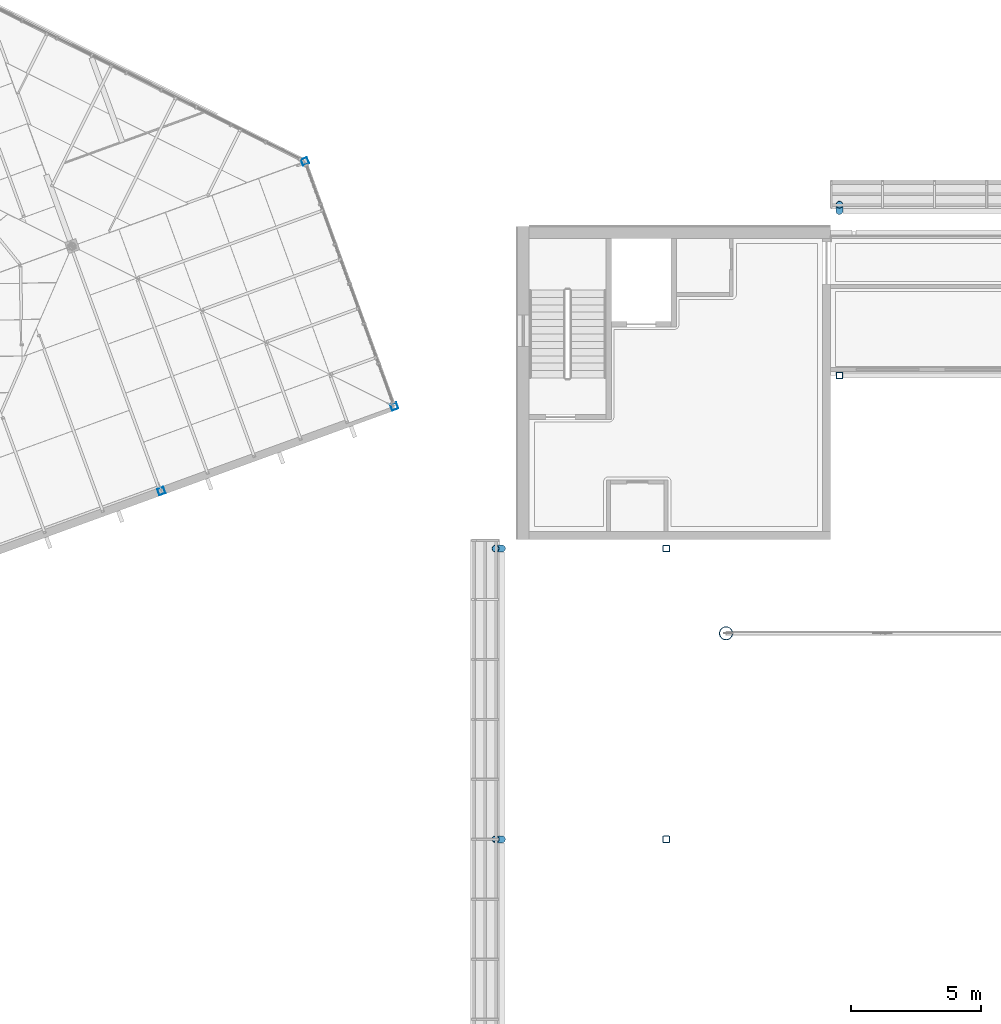
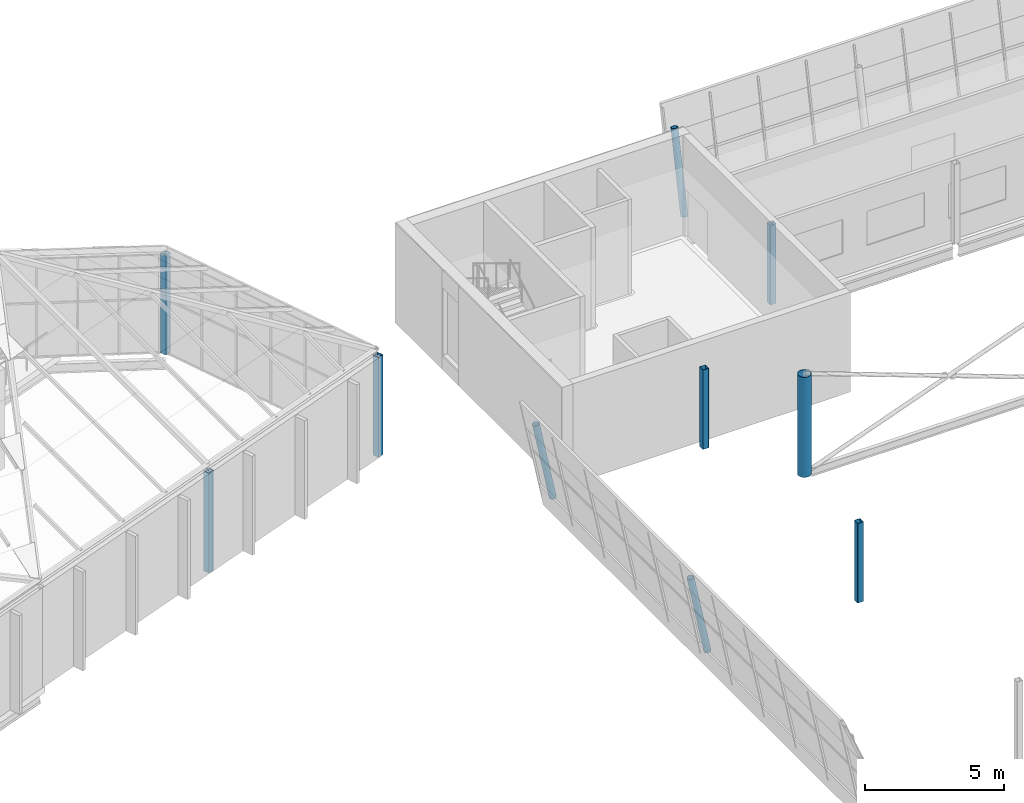
# One storey, part 7 of 95: 10 columns.
"""IFC4 building model written with IfcOpenShell, lengths in metres."""

from ifc_helpers import new_model, si_unit, direction, frame, origin, origin_2d, place, context, subcontext, project, spatial, hollow_rectangle, hollow_circle, extrude, material, material_profile, profile_set, type_object, element, save


model = new_model("IFC4")

# Units and contexts
model_context = context("Model", 3, precision=1e-05, world=origin(), true_north=direction((0.0, 1.0)))
body_context = subcontext(model_context, "Body", "Model", "MODEL_VIEW")
ifc_project = project(units=[si_unit("LENGTHUNIT", "METRE"), si_unit("AREAUNIT", "SQUARE_METRE"), si_unit("VOLUMEUNIT", "CUBIC_METRE"), si_unit("PLANEANGLEUNIT", "RADIAN"), si_unit("MASSUNIT", "GRAM", prefix="KILO")], contexts=[model_context])

# Site, building, storey
site_placement = place(None, origin())
site = spatial("IfcSite", under=ifc_project, at=site_placement, CompositionType="ELEMENT")
building_placement = place(site_placement, origin())
building = spatial("IfcBuilding", under=site, at=building_placement, Name="Windward Yard Aquatics Centre", CompositionType="ELEMENT")
storey_placement = place(building_placement, frame((0.0, 0.0, 9.39990234375)))
storey = spatial("IfcBuildingStorey", under=building, at=storey_placement, Name="L02", CompositionType="ELEMENT", Elevation=9.39990234375)

# Columns
ifc_material_1 = material(Name="Steel S355", Category="steel")
ifc_material_profile_1 = material_profile(ifc_material_1, hollow_rectangle(XDim=0.25390625, YDim=0.25390625, WallThickness=0.01171875, at=origin_2d()), Name="HSS254x254x12.7")
ifc_profile_set_1 = profile_set([ifc_material_profile_1], Name="Steel S355")
column_type_1 = type_object("IfcColumnType", Name="F HSS254x254x12.7 column", PredefinedType="COLUMN", material=ifc_profile_set_1)
for number, where, z_axis, x_axis, name in (
    (1, (38.347412109375, 85.852294921875, 0.0), (0.0, 0.0, 1.0), (0.939692620786, 0.342020143326, 0.0), "F.COL.L02.04"),
    (2, (47.2744140625, 89.1015625, 0.0), (0.0, 0.0, 1.0), (0.939692620786, 0.342020143326, 0.0), "F.COL.L02.05"),
    (3, (43.854248046875, 98.498291015625, 0.0), (0.0, 0.0, 1.0), (0.939692620786, 0.342020143326, 0.0), "F.COL.L02.06"),
):
    element("IfcColumn", number, at=place(storey_placement, frame(where, z_axis=z_axis, x_axis=x_axis)), inside=storey, type_object=column_type_1, Name=name, PredefinedType="COLUMN", context=body_context, shape_type="SweptSolid", body=[
        extrude(hollow_rectangle(XDim=0.25390625, YDim=0.25390625, WallThickness=0.01171875, at=origin_2d()), origin(), (0.0, 0.0, 1.0), 4.400146484375),
    ])
ifc_material_2 = material(Name="Steel ASTM A500 Gr C", Category="steel")
ifc_material_profile_2 = material_profile(ifc_material_2, hollow_circle(Radius=0.25390625, WallThickness=0.015869140625, at=origin_2d()), Name="HSS508X15.9")
ifc_profile_set_2 = profile_set([ifc_material_profile_2], Name="Steel ASTM A500 Gr C")
column_type_2 = type_object("IfcColumnType", Name="H arch column HSS508X15.9", PredefinedType="COLUMN", material=ifc_profile_set_2)
column_placement = place(storey_placement, frame((60.0, 80.39990234375, 0.0), z_axis=(0.0, 0.0, 1.0), x_axis=(1.0, 0.0, 0.0)))
element("IfcColumn", 4, at=column_placement, inside=storey, type_object=column_type_2, Name="H.AC.N1.L02", PredefinedType="COLUMN", context=body_context, shape_type="SweptSolid", body=[
    extrude(hollow_circle(Radius=0.25390625, WallThickness=0.015869140625, at=origin_2d()), origin(), (0.0, 0.0, 1.0), 4.400146484375),
])
ifc_material_profile_3 = material_profile(ifc_material_2, hollow_rectangle(XDim=0.25390625, YDim=0.25390625, WallThickness=0.015869140625, InnerFilletRadius=0.008056640625, OuterFilletRadius=0.02392578125, at=origin_2d()), Name="HSS254X254X15.9")
ifc_profile_set_3 = profile_set([ifc_material_profile_3], Name="Steel ASTM A500 Gr C")
column_type_3 = type_object("IfcColumnType", Name="H inner column HSS254X254X15.9", PredefinedType="COLUMN", material=ifc_profile_set_3)
for number, where, z_axis, x_axis, name in (
    (5, (64.35009765625, 90.290283203125, 0.0), (0.0, 0.0, 1.0), (1.0, 0.0, 0.0), "H.IC.N1.L02"),
    (6, (57.709716796875, 72.5, 0.0), (0.0, 0.0, 1.0), (1.0, 0.0, 0.0), "H.IC.W4.L02"),
    (7, (57.709716796875, 83.64990234375, 0.0), (0.0, 0.0, 1.0), (1.0, 0.0, 0.0), "H.IC.W5.L02"),
):
    element("IfcColumn", number, at=place(storey_placement, frame(where, z_axis=z_axis, x_axis=x_axis)), inside=storey, type_object=column_type_3, Name=name, PredefinedType="COLUMN", context=body_context, shape_type="SweptSolid", body=[
        extrude(hollow_rectangle(XDim=0.25390625, YDim=0.25390625, WallThickness=0.015869140625, InnerFilletRadius=0.008056640625, OuterFilletRadius=0.02392578125, at=origin_2d()), origin(), (0.0, 0.0, 1.0), 3.49609375),
    ])
ifc_material_profile_4 = material_profile(ifc_material_2, hollow_circle(Radius=0.136474609375, WallThickness=0.0126953125, at=origin_2d()), Name="HSS273.1X12.7")
ifc_profile_set_4 = profile_set([ifc_material_profile_4], Name="Steel ASTM A500 Gr C")
column_type_4 = type_object("IfcColumnType", Name="H tier 1 leg HSS273.1X12.7", PredefinedType="COLUMN", material=ifc_profile_set_4)
for number, where, z_axis, x_axis, name in (
    (8, (64.35009765625, 96.59521484375, 0.0), (0.0, 0.19937762145, 0.979922733722), (-1.0, 0.0, 0.0), "H.TL.N1.T1B.L02"),
    (9, (51.40478515625, 72.5, 0.0), (-0.19937762145, 0.0, 0.979922733722), (0.0, -1.0, 0.0), "H.TL.W4.T1B.L02"),
    (10, (51.40478515625, 83.64990234375, 0.0), (-0.19937762145, 0.0, 0.979922733722), (0.0, -1.0, 0.0), "H.TL.W5.T1B.L02"),
):
    element("IfcColumn", number, at=place(storey_placement, frame(where, z_axis=z_axis, x_axis=x_axis)), inside=storey, type_object=column_type_4, Name=name, PredefinedType="COLUMN", context=body_context, shape_type="SweptSolid", body=[
        extrude(hollow_circle(Radius=0.136474609375, WallThickness=0.0126953125, at=origin_2d()), origin(), (0.0, 0.0, 1.0), 3.5400390625),
    ])

save(model, "model.ifc")
